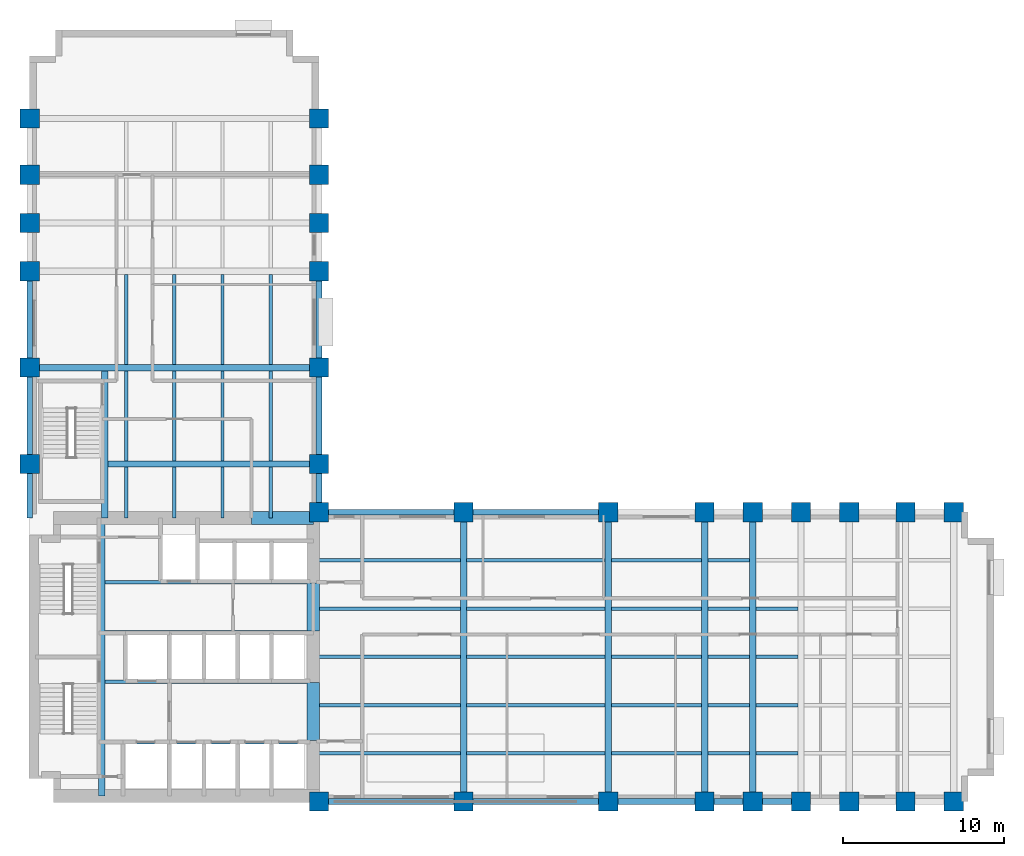
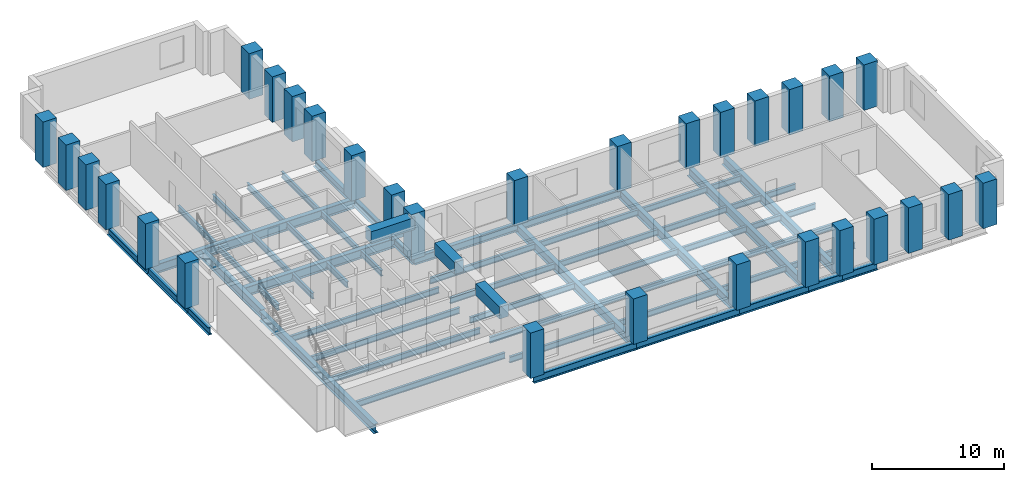
# One storey, part 1 of 8: 64 beams, 30 columns.
"""IFC4 building model written with IfcOpenShell, lengths in metres."""

from ifc_helpers import new_model, si_unit, direction, frame, origin, origin_2d, place, context, subcontext, project, spatial, rectangle, i_section, extrude, material, material_profile, profile_set, type_object, element, save


model = new_model("IFC4")

# Units and contexts
model_context = context("Model", 3, precision=1e-05, world=origin(), true_north=direction((0.0, 1.0)))
body_context = subcontext(model_context, "Body", "Model", "MODEL_VIEW")
ifc_project = project(units=[si_unit("LENGTHUNIT", "METRE"), si_unit("AREAUNIT", "SQUARE_METRE"), si_unit("VOLUMEUNIT", "CUBIC_METRE"), si_unit("PLANEANGLEUNIT", "RADIAN"), si_unit("MASSUNIT", "GRAM", prefix="KILO")], contexts=[model_context])

# Site, building, storey
site_placement = place(None, origin())
site = spatial("IfcSite", under=ifc_project, at=site_placement, CompositionType="ELEMENT")
building_placement = place(site_placement, origin())
building = spatial("IfcBuilding", under=site, at=building_placement, Name="Mawjdan Bourse Tower", CompositionType="ELEMENT")
storey_placement = place(building_placement, frame((0.0, 0.0, 38.39990234375)))
storey = spatial("IfcBuildingStorey", under=building, at=storey_placement, Name="L08", CompositionType="ELEMENT", Elevation=38.39990234375)

# Columns
ifc_material_1 = material(Name="Concrete C80/95", Category="concrete")
ifc_material_profile_1 = material_profile(ifc_material_1, rectangle(XDim=1.199951171875, YDim=1.199951171875, at=origin_2d()), Name="RC1200X1200")
ifc_profile_set_1 = profile_set([ifc_material_profile_1], Name="Concrete C80/95")
column_type = type_object("IfcColumnType", Name="COL-RC1200X1200", PredefinedType="COLUMN", material=ifc_profile_set_1)
for number, where, z_axis, x_axis, name in (
    (1, (24.0, 3.0, 0.0), (0.0, 0.0, 1.0), (1.0, 0.0, 0.0), "L08 Structural Column C-X240-Y30"),
    (2, (24.0, 21.0, 0.0), (0.0, 0.0, 1.0), (1.0, 0.0, 0.0), "L08 Structural Column C-X240-Y210"),
    (3, (33.0, 3.0, 0.0), (0.0, 0.0, 1.0), (1.0, 0.0, 0.0), "L08 Structural Column C-X330-Y30"),
    (4, (33.0, 21.0, 0.0), (0.0, 0.0, 1.0), (1.0, 0.0, 0.0), "L08 Structural Column C-X330-Y210"),
    (5, (42.0, 3.0, 0.0), (0.0, 0.0, 1.0), (1.0, 0.0, 0.0), "L08 Structural Column C-X420-Y30"),
    (6, (42.0, 21.0, 0.0), (0.0, 0.0, 1.0), (1.0, 0.0, 0.0), "L08 Structural Column C-X420-Y210"),
    (7, (48.0, 3.0, 0.0), (0.0, 0.0, 1.0), (1.0, 0.0, 0.0), "L08 Structural Column C-X480-Y30"),
    (8, (48.0, 21.0, 0.0), (0.0, 0.0, 1.0), (1.0, 0.0, 0.0), "L08 Structural Column C-X480-Y210"),
    (9, (51.0, 3.0, 0.0), (0.0, 0.0, 1.0), (1.0, 0.0, 0.0), "L08 Structural Column C-X510-Y30"),
    (10, (51.0, 21.0, 0.0), (0.0, 0.0, 1.0), (1.0, 0.0, 0.0), "L08 Structural Column C-X510-Y210"),
    (11, (54.0, 3.0, 0.0), (0.0, 0.0, 1.0), (1.0, 0.0, 0.0), "L08 Structural Column C-X540-Y30"),
    (12, (54.0, 21.0, 0.0), (0.0, 0.0, 1.0), (1.0, 0.0, 0.0), "L08 Structural Column C-X540-Y210"),
    (13, (57.0, 3.0, 0.0), (0.0, 0.0, 1.0), (1.0, 0.0, 0.0), "L08 Structural Column C-X570-Y30"),
    (14, (57.0, 21.0, 0.0), (0.0, 0.0, 1.0), (1.0, 0.0, 0.0), "L08 Structural Column C-X570-Y210"),
    (15, (60.5, 3.0, 0.0), (0.0, 0.0, 1.0), (1.0, 0.0, 0.0), "L08 Structural Column C-X605-Y30"),
    (16, (60.5, 21.0, 0.0), (0.0, 0.0, 1.0), (1.0, 0.0, 0.0), "L08 Structural Column C-X605-Y210"),
    (17, (63.5, 3.0, 0.0), (0.0, 0.0, 1.0), (1.0, 0.0, 0.0), "L08 Structural Column C-X635-Y30"),
    (18, (63.5, 21.0, 0.0), (0.0, 0.0, 1.0), (1.0, 0.0, 0.0), "L08 Structural Column C-X635-Y210"),
    (19, (6.0, 24.0, 0.0), (0.0, 0.0, 1.0), (1.0, 0.0, 0.0), "L08 Structural Column C-X60-Y240"),
    (20, (24.0, 24.0, 0.0), (0.0, 0.0, 1.0), (1.0, 0.0, 0.0), "L08 Structural Column C-X240-Y240"),
    (21, (6.0, 30.0, 0.0), (0.0, 0.0, 1.0), (1.0, 0.0, 0.0), "L08 Structural Column C-X60-Y300"),
    (22, (24.0, 30.0, 0.0), (0.0, 0.0, 1.0), (1.0, 0.0, 0.0), "L08 Structural Column C-X240-Y300"),
    (23, (6.0, 36.0, 0.0), (0.0, 0.0, 1.0), (1.0, 0.0, 0.0), "L08 Structural Column C-X60-Y360"),
    (24, (24.0, 36.0, 0.0), (0.0, 0.0, 1.0), (1.0, 0.0, 0.0), "L08 Structural Column C-X240-Y360"),
    (25, (6.0, 39.0, 0.0), (0.0, 0.0, 1.0), (1.0, 0.0, 0.0), "L08 Structural Column C-X60-Y390"),
    (26, (24.0, 39.0, 0.0), (0.0, 0.0, 1.0), (1.0, 0.0, 0.0), "L08 Structural Column C-X240-Y390"),
    (27, (6.0, 42.0, 0.0), (0.0, 0.0, 1.0), (1.0, 0.0, 0.0), "L08 Structural Column C-X60-Y420"),
    (28, (24.0, 42.0, 0.0), (0.0, 0.0, 1.0), (1.0, 0.0, 0.0), "L08 Structural Column C-X240-Y420"),
    (29, (6.0, 45.5, 0.0), (0.0, 0.0, 1.0), (1.0, 0.0, 0.0), "L08 Structural Column C-X60-Y455"),
    (30, (24.0, 45.5, 0.0), (0.0, 0.0, 1.0), (1.0, 0.0, 0.0), "L08 Structural Column C-X240-Y455"),
):
    element("IfcColumn", number, at=place(storey_placement, frame(where, z_axis=z_axis, x_axis=x_axis)), inside=storey, type_object=column_type, Name=name, PredefinedType="COLUMN", context=body_context, shape_type="SweptSolid", body=[
        extrude(rectangle(XDim=1.199951171875, YDim=1.199951171875, at=origin_2d()), origin(), (0.0, 0.0, 1.0), 4.2001953125),
    ])

# Beams
ifc_material_2 = material(Name="Structural Steel S355", Category="steel")
ifc_material_profile_2 = material_profile(ifc_material_2, i_section(OverallWidth=0.39892578125, OverallDepth=0.85595703125, WebThickness=0.018310546875, FlangeThickness=0.029296875, FilletRadius=0.0234375, at=origin_2d()), Name="W33X201")
ifc_profile_set_2 = profile_set([ifc_material_profile_2], Name="Structural Steel S355")
beam_type_1 = type_object("IfcBeamType", Name="GRD-W33X201", PredefinedType="BEAM", material=ifc_profile_set_2)
beam_1_placement = place(storey_placement, frame((10.47998046875, 3.35009765625, -0.64794921875), z_axis=(0.0, 1.0, 0.0), x_axis=(-1.0, 0.0, 0.0)))
element("IfcBeam", 31, at=beam_1_placement, inside=storey, type_object=beam_type_1, Name="L08 Core Stair Trimmer Girder 001", PredefinedType="BEAM", context=body_context, shape_type="SweptSolid", body=[
    extrude(i_section(OverallWidth=0.39892578125, OverallDepth=0.85595703125, WebThickness=0.018310546875, FlangeThickness=0.029296875, FilletRadius=0.0234375, at=origin_2d()), origin(), (0.0, 0.0, 1.0), 17.2998046875),
])
for number, where, z_axis, x_axis, name in (
    (32, (33.0, 3.0, -0.64794921875), (0.0, 1.0, 0.0), (-1.0, 0.0, 0.0), "L08 East Wing Clear-Span Girder 002"),
    (33, (42.0, 3.0, -0.64794921875), (0.0, 1.0, 0.0), (-1.0, 0.0, 0.0), "L08 East Wing Clear-Span Girder 003"),
    (34, (48.0, 3.0, -0.64794921875), (0.0, 1.0, 0.0), (-1.0, 0.0, 0.0), "L08 East Wing Clear-Span Girder 004"),
    (35, (51.0, 3.0, -0.64794921875), (0.0, 1.0, 0.0), (-1.0, 0.0, 0.0), "L08 East Wing Clear-Span Girder 005"),
):
    element("IfcBeam", number, at=place(storey_placement, frame(where, z_axis=z_axis, x_axis=x_axis)), inside=storey, type_object=beam_type_1, Name=name, PredefinedType="BEAM", context=body_context, shape_type="SweptSolid", body=[
        extrude(i_section(OverallWidth=0.39892578125, OverallDepth=0.85595703125, WebThickness=0.018310546875, FlangeThickness=0.029296875, FilletRadius=0.0234375, at=origin_2d()), origin(), (0.0, 0.0, 1.0), 18.0),
    ])
beam_2_placement = place(storey_placement, frame((10.679931640625, 20.64990234375, -0.64794921875), z_axis=(0.0, 1.0, 0.0), x_axis=(-1.0, 0.0, 0.0)))
element("IfcBeam", 36, at=beam_2_placement, inside=storey, type_object=beam_type_1, Name="L08 North Wing Stair Trimmer Girder 070", PredefinedType="BEAM", context=body_context, shape_type="SweptSolid", body=[
    extrude(i_section(OverallWidth=0.39892578125, OverallDepth=0.85595703125, WebThickness=0.018310546875, FlangeThickness=0.029296875, FilletRadius=0.0234375, at=origin_2d()), origin(), (0.0, 0.0, 1.0), 9.152587890625),
])
beam_3_placement = place(storey_placement, frame((10.87744140625, 24.0, -0.64794921875), z_axis=(1.0, 0.0, 0.0), x_axis=(0.0, 1.0, 0.0)))
element("IfcBeam", 37, at=beam_3_placement, inside=storey, type_object=beam_type_1, Name="L08 North Wing Clear-Span Girder 071", PredefinedType="BEAM", context=body_context, shape_type="SweptSolid", body=[
    extrude(i_section(OverallWidth=0.39892578125, OverallDepth=0.85595703125, WebThickness=0.018310546875, FlangeThickness=0.029296875, FilletRadius=0.0234375, at=origin_2d()), origin(), (0.0, 0.0, 1.0), 13.12255859375),
])
beam_4_placement = place(storey_placement, frame((6.0, 30.0, -0.64794921875), z_axis=(1.0, 0.0, 0.0), x_axis=(0.0, 1.0, 0.0)))
element("IfcBeam", 38, at=beam_4_placement, inside=storey, type_object=beam_type_1, Name="L08 North Wing Clear-Span Girder 072", PredefinedType="BEAM", context=body_context, shape_type="SweptSolid", body=[
    extrude(i_section(OverallWidth=0.39892578125, OverallDepth=0.85595703125, WebThickness=0.018310546875, FlangeThickness=0.029296875, FilletRadius=0.0234375, at=origin_2d()), origin(), (0.0, 0.0, 1.0), 18.0),
])
ifc_material_profile_3 = material_profile(ifc_material_2, i_section(OverallWidth=0.2119140625, OverallDepth=0.5439453125, WebThickness=0.01318359375, FlangeThickness=0.021240234375, FilletRadius=0.01708984375, at=origin_2d()), Name="W21X83")
ifc_profile_set_3 = profile_set([ifc_material_profile_3], Name="Structural Steel S355")
beam_type_2 = type_object("IfcBeamType", Name="JST-W21X83", PredefinedType="JOIST", material=ifc_profile_set_3)
beam_5_placement = place(storey_placement, frame((23.64990234375, 6.0, -0.491943359375), z_axis=(1.0, 0.0, 0.0), x_axis=(0.0, 1.0, 0.0)))
element("IfcBeam", 39, at=beam_5_placement, inside=storey, type_object=beam_type_2, Name="L08 East Wing Composite Joist 026", PredefinedType="JOIST", context=body_context, shape_type="SweptSolid", body=[
    extrude(i_section(OverallWidth=0.2119140625, OverallDepth=0.5439453125, WebThickness=0.01318359375, FlangeThickness=0.021240234375, FilletRadius=0.01708984375, at=origin_2d()), origin(), (0.0, 0.0, 1.0), 9.152587890625),
])
beam_6_placement = place(storey_placement, frame((33.197509765625, 6.0, -0.491943359375), z_axis=(1.0, 0.0, 0.0), x_axis=(0.0, 1.0, 0.0)))
element("IfcBeam", 40, at=beam_6_placement, inside=storey, type_object=beam_type_2, Name="L08 East Wing Composite Joist 027", PredefinedType="JOIST", context=body_context, shape_type="SweptSolid", body=[
    extrude(i_section(OverallWidth=0.2119140625, OverallDepth=0.5439453125, WebThickness=0.01318359375, FlangeThickness=0.021240234375, FilletRadius=0.01708984375, at=origin_2d()), origin(), (0.0, 0.0, 1.0), 8.60498046875),
])
beam_7_placement = place(storey_placement, frame((42.197509765625, 6.0, -0.491943359375), z_axis=(1.0, 0.0, 0.0), x_axis=(0.0, 1.0, 0.0)))
element("IfcBeam", 41, at=beam_7_placement, inside=storey, type_object=beam_type_2, Name="L08 East Wing Composite Joist 028", PredefinedType="JOIST", context=body_context, shape_type="SweptSolid", body=[
    extrude(i_section(OverallWidth=0.2119140625, OverallDepth=0.5439453125, WebThickness=0.01318359375, FlangeThickness=0.021240234375, FilletRadius=0.01708984375, at=origin_2d()), origin(), (0.0, 0.0, 1.0), 5.60498046875),
])
for number, where, z_axis, x_axis, name in (
    (42, (48.197509765625, 6.0, -0.491943359375), (1.0, 0.0, 0.0), (0.0, 1.0, 0.0), "L08 East Wing Composite Joist 029"),
    (43, (51.197509765625, 6.0, -0.491943359375), (1.0, 0.0, 0.0), (0.0, 1.0, 0.0), "L08 East Wing Composite Joist 030"),
):
    element("IfcBeam", number, at=place(storey_placement, frame(where, z_axis=z_axis, x_axis=x_axis)), inside=storey, type_object=beam_type_2, Name=name, PredefinedType="JOIST", context=body_context, shape_type="SweptSolid", body=[
        extrude(i_section(OverallWidth=0.2119140625, OverallDepth=0.5439453125, WebThickness=0.01318359375, FlangeThickness=0.021240234375, FilletRadius=0.01708984375, at=origin_2d()), origin(), (0.0, 0.0, 1.0), 2.60498046875),
    ])
beam_8_placement = place(storey_placement, frame((23.64990234375, 9.0, -0.491943359375), z_axis=(1.0, 0.0, 0.0), x_axis=(0.0, 1.0, 0.0)))
element("IfcBeam", 44, at=beam_8_placement, inside=storey, type_object=beam_type_2, Name="L08 East Wing Composite Joist 034", PredefinedType="JOIST", context=body_context, shape_type="SweptSolid", body=[
    extrude(i_section(OverallWidth=0.2119140625, OverallDepth=0.5439453125, WebThickness=0.01318359375, FlangeThickness=0.021240234375, FilletRadius=0.01708984375, at=origin_2d()), origin(), (0.0, 0.0, 1.0), 9.152587890625),
])
beam_9_placement = place(storey_placement, frame((33.197509765625, 9.0, -0.491943359375), z_axis=(1.0, 0.0, 0.0), x_axis=(0.0, 1.0, 0.0)))
element("IfcBeam", 45, at=beam_9_placement, inside=storey, type_object=beam_type_2, Name="L08 East Wing Composite Joist 035", PredefinedType="JOIST", context=body_context, shape_type="SweptSolid", body=[
    extrude(i_section(OverallWidth=0.2119140625, OverallDepth=0.5439453125, WebThickness=0.01318359375, FlangeThickness=0.021240234375, FilletRadius=0.01708984375, at=origin_2d()), origin(), (0.0, 0.0, 1.0), 8.60498046875),
])
beam_10_placement = place(storey_placement, frame((42.197509765625, 9.0, -0.491943359375), z_axis=(1.0, 0.0, 0.0), x_axis=(0.0, 1.0, 0.0)))
element("IfcBeam", 46, at=beam_10_placement, inside=storey, type_object=beam_type_2, Name="L08 East Wing Composite Joist 036", PredefinedType="JOIST", context=body_context, shape_type="SweptSolid", body=[
    extrude(i_section(OverallWidth=0.2119140625, OverallDepth=0.5439453125, WebThickness=0.01318359375, FlangeThickness=0.021240234375, FilletRadius=0.01708984375, at=origin_2d()), origin(), (0.0, 0.0, 1.0), 5.60498046875),
])
for number, where, z_axis, x_axis, name in (
    (47, (48.197509765625, 9.0, -0.491943359375), (1.0, 0.0, 0.0), (0.0, 1.0, 0.0), "L08 East Wing Composite Joist 037"),
    (48, (51.197509765625, 9.0, -0.491943359375), (1.0, 0.0, 0.0), (0.0, 1.0, 0.0), "L08 East Wing Composite Joist 038"),
):
    element("IfcBeam", number, at=place(storey_placement, frame(where, z_axis=z_axis, x_axis=x_axis)), inside=storey, type_object=beam_type_2, Name=name, PredefinedType="JOIST", context=body_context, shape_type="SweptSolid", body=[
        extrude(i_section(OverallWidth=0.2119140625, OverallDepth=0.5439453125, WebThickness=0.01318359375, FlangeThickness=0.021240234375, FilletRadius=0.01708984375, at=origin_2d()), origin(), (0.0, 0.0, 1.0), 2.60498046875),
    ])
beam_11_placement = place(storey_placement, frame((23.64990234375, 12.0, -0.491943359375), z_axis=(1.0, 0.0, 0.0), x_axis=(0.0, 1.0, 0.0)))
element("IfcBeam", 49, at=beam_11_placement, inside=storey, type_object=beam_type_2, Name="L08 East Wing Composite Joist 042", PredefinedType="JOIST", context=body_context, shape_type="SweptSolid", body=[
    extrude(i_section(OverallWidth=0.2119140625, OverallDepth=0.5439453125, WebThickness=0.01318359375, FlangeThickness=0.021240234375, FilletRadius=0.01708984375, at=origin_2d()), origin(), (0.0, 0.0, 1.0), 9.152587890625),
])
beam_12_placement = place(storey_placement, frame((33.197509765625, 12.0, -0.491943359375), z_axis=(1.0, 0.0, 0.0), x_axis=(0.0, 1.0, 0.0)))
element("IfcBeam", 50, at=beam_12_placement, inside=storey, type_object=beam_type_2, Name="L08 East Wing Composite Joist 043", PredefinedType="JOIST", context=body_context, shape_type="SweptSolid", body=[
    extrude(i_section(OverallWidth=0.2119140625, OverallDepth=0.5439453125, WebThickness=0.01318359375, FlangeThickness=0.021240234375, FilletRadius=0.01708984375, at=origin_2d()), origin(), (0.0, 0.0, 1.0), 8.60498046875),
])
beam_13_placement = place(storey_placement, frame((42.197509765625, 12.0, -0.491943359375), z_axis=(1.0, 0.0, 0.0), x_axis=(0.0, 1.0, 0.0)))
element("IfcBeam", 51, at=beam_13_placement, inside=storey, type_object=beam_type_2, Name="L08 East Wing Composite Joist 044", PredefinedType="JOIST", context=body_context, shape_type="SweptSolid", body=[
    extrude(i_section(OverallWidth=0.2119140625, OverallDepth=0.5439453125, WebThickness=0.01318359375, FlangeThickness=0.021240234375, FilletRadius=0.01708984375, at=origin_2d()), origin(), (0.0, 0.0, 1.0), 5.60498046875),
])
for number, where, z_axis, x_axis, name in (
    (52, (48.197509765625, 12.0, -0.491943359375), (1.0, 0.0, 0.0), (0.0, 1.0, 0.0), "L08 East Wing Composite Joist 045"),
    (53, (51.197509765625, 12.0, -0.491943359375), (1.0, 0.0, 0.0), (0.0, 1.0, 0.0), "L08 East Wing Composite Joist 046"),
):
    element("IfcBeam", number, at=place(storey_placement, frame(where, z_axis=z_axis, x_axis=x_axis)), inside=storey, type_object=beam_type_2, Name=name, PredefinedType="JOIST", context=body_context, shape_type="SweptSolid", body=[
        extrude(i_section(OverallWidth=0.2119140625, OverallDepth=0.5439453125, WebThickness=0.01318359375, FlangeThickness=0.021240234375, FilletRadius=0.01708984375, at=origin_2d()), origin(), (0.0, 0.0, 1.0), 2.60498046875),
    ])
beam_14_placement = place(storey_placement, frame((23.64990234375, 15.0, -0.491943359375), z_axis=(1.0, 0.0, 0.0), x_axis=(0.0, 1.0, 0.0)))
element("IfcBeam", 54, at=beam_14_placement, inside=storey, type_object=beam_type_2, Name="L08 East Wing Composite Joist 050", PredefinedType="JOIST", context=body_context, shape_type="SweptSolid", body=[
    extrude(i_section(OverallWidth=0.2119140625, OverallDepth=0.5439453125, WebThickness=0.01318359375, FlangeThickness=0.021240234375, FilletRadius=0.01708984375, at=origin_2d()), origin(), (0.0, 0.0, 1.0), 9.152587890625),
])
beam_15_placement = place(storey_placement, frame((33.197509765625, 15.0, -0.491943359375), z_axis=(1.0, 0.0, 0.0), x_axis=(0.0, 1.0, 0.0)))
element("IfcBeam", 55, at=beam_15_placement, inside=storey, type_object=beam_type_2, Name="L08 East Wing Composite Joist 051", PredefinedType="JOIST", context=body_context, shape_type="SweptSolid", body=[
    extrude(i_section(OverallWidth=0.2119140625, OverallDepth=0.5439453125, WebThickness=0.01318359375, FlangeThickness=0.021240234375, FilletRadius=0.01708984375, at=origin_2d()), origin(), (0.0, 0.0, 1.0), 8.60498046875),
])
beam_16_placement = place(storey_placement, frame((42.197509765625, 15.0, -0.491943359375), z_axis=(1.0, 0.0, 0.0), x_axis=(0.0, 1.0, 0.0)))
element("IfcBeam", 56, at=beam_16_placement, inside=storey, type_object=beam_type_2, Name="L08 East Wing Composite Joist 052", PredefinedType="JOIST", context=body_context, shape_type="SweptSolid", body=[
    extrude(i_section(OverallWidth=0.2119140625, OverallDepth=0.5439453125, WebThickness=0.01318359375, FlangeThickness=0.021240234375, FilletRadius=0.01708984375, at=origin_2d()), origin(), (0.0, 0.0, 1.0), 5.60498046875),
])
for number, where, z_axis, x_axis, name in (
    (57, (48.197509765625, 15.0, -0.491943359375), (1.0, 0.0, 0.0), (0.0, 1.0, 0.0), "L08 East Wing Composite Joist 053"),
    (58, (51.197509765625, 15.0, -0.491943359375), (1.0, 0.0, 0.0), (0.0, 1.0, 0.0), "L08 East Wing Composite Joist 054"),
):
    element("IfcBeam", number, at=place(storey_placement, frame(where, z_axis=z_axis, x_axis=x_axis)), inside=storey, type_object=beam_type_2, Name=name, PredefinedType="JOIST", context=body_context, shape_type="SweptSolid", body=[
        extrude(i_section(OverallWidth=0.2119140625, OverallDepth=0.5439453125, WebThickness=0.01318359375, FlangeThickness=0.021240234375, FilletRadius=0.01708984375, at=origin_2d()), origin(), (0.0, 0.0, 1.0), 2.60498046875),
    ])
beam_17_placement = place(storey_placement, frame((23.64990234375, 18.0, -0.491943359375), z_axis=(1.0, 0.0, 0.0), x_axis=(0.0, 1.0, 0.0)))
element("IfcBeam", 59, at=beam_17_placement, inside=storey, type_object=beam_type_2, Name="L08 East Wing Composite Joist 058", PredefinedType="JOIST", context=body_context, shape_type="SweptSolid", body=[
    extrude(i_section(OverallWidth=0.2119140625, OverallDepth=0.5439453125, WebThickness=0.01318359375, FlangeThickness=0.021240234375, FilletRadius=0.01708984375, at=origin_2d()), origin(), (0.0, 0.0, 1.0), 9.152587890625),
])
beam_18_placement = place(storey_placement, frame((33.197509765625, 18.0, -0.491943359375), z_axis=(1.0, 0.0, 0.0), x_axis=(0.0, 1.0, 0.0)))
element("IfcBeam", 60, at=beam_18_placement, inside=storey, type_object=beam_type_2, Name="L08 East Wing Composite Joist 059", PredefinedType="JOIST", context=body_context, shape_type="SweptSolid", body=[
    extrude(i_section(OverallWidth=0.2119140625, OverallDepth=0.5439453125, WebThickness=0.01318359375, FlangeThickness=0.021240234375, FilletRadius=0.01708984375, at=origin_2d()), origin(), (0.0, 0.0, 1.0), 8.60498046875),
])
beam_19_placement = place(storey_placement, frame((42.197509765625, 18.0, -0.491943359375), z_axis=(1.0, 0.0, 0.0), x_axis=(0.0, 1.0, 0.0)))
element("IfcBeam", 61, at=beam_19_placement, inside=storey, type_object=beam_type_2, Name="L08 East Wing Composite Joist 060", PredefinedType="JOIST", context=body_context, shape_type="SweptSolid", body=[
    extrude(i_section(OverallWidth=0.2119140625, OverallDepth=0.5439453125, WebThickness=0.01318359375, FlangeThickness=0.021240234375, FilletRadius=0.01708984375, at=origin_2d()), origin(), (0.0, 0.0, 1.0), 5.60498046875),
])
beam_20_placement = place(storey_placement, frame((48.197509765625, 18.0, -0.491943359375), z_axis=(1.0, 0.0, 0.0), x_axis=(0.0, 1.0, 0.0)))
element("IfcBeam", 62, at=beam_20_placement, inside=storey, type_object=beam_type_2, Name="L08 East Wing Composite Joist 061", PredefinedType="JOIST", context=body_context, shape_type="SweptSolid", body=[
    extrude(i_section(OverallWidth=0.2119140625, OverallDepth=0.5439453125, WebThickness=0.01318359375, FlangeThickness=0.021240234375, FilletRadius=0.01708984375, at=origin_2d()), origin(), (0.0, 0.0, 1.0), 2.60498046875),
])
for number, where, z_axis, x_axis, name in (
    (63, (10.677490234375, 6.699951171875, -0.491943359375), (1.0, 0.0, 0.0), (0.0, 1.0, 0.0), "L08 Core Floor Joist 066"),
    (64, (10.677490234375, 10.449951171875, -0.491943359375), (1.0, 0.0, 0.0), (0.0, 1.0, 0.0), "L08 Core Floor Joist 067"),
    (65, (10.677490234375, 13.550048828125, -0.491943359375), (1.0, 0.0, 0.0), (0.0, 1.0, 0.0), "L08 Core Floor Joist 068"),
    (66, (10.677490234375, 16.64990234375, -0.491943359375), (1.0, 0.0, 0.0), (0.0, 1.0, 0.0), "L08 Core Floor Joist 069"),
):
    element("IfcBeam", number, at=place(storey_placement, frame(where, z_axis=z_axis, x_axis=x_axis)), inside=storey, type_object=beam_type_2, Name=name, PredefinedType="JOIST", context=body_context, shape_type="SweptSolid", body=[
        extrude(i_section(OverallWidth=0.2119140625, OverallDepth=0.5439453125, WebThickness=0.01318359375, FlangeThickness=0.021240234375, FilletRadius=0.01708984375, at=origin_2d()), origin(), (0.0, 0.0, 1.0), 12.972412109375),
    ])
beam_21_placement = place(storey_placement, frame((12.0, 20.64990234375, -0.491943359375), z_axis=(0.0, 1.0, 0.0), x_axis=(-1.0, 0.0, 0.0)))
element("IfcBeam", 67, at=beam_21_placement, inside=storey, type_object=beam_type_2, Name="L08 North Wing Composite Joist 089", PredefinedType="JOIST", context=body_context, shape_type="SweptSolid", body=[
    extrude(i_section(OverallWidth=0.2119140625, OverallDepth=0.5439453125, WebThickness=0.01318359375, FlangeThickness=0.021240234375, FilletRadius=0.01708984375, at=origin_2d()), origin(), (0.0, 0.0, 1.0), 3.152587890625),
])
for number, where, z_axis, x_axis, name in (
    (68, (12.0, 24.197509765625, -0.491943359375), (0.0, 1.0, 0.0), (-1.0, 0.0, 0.0), "L08 North Wing Composite Joist 090"),
    (69, (12.0, 30.197509765625, -0.491943359375), (0.0, 1.0, 0.0), (-1.0, 0.0, 0.0), "L08 North Wing Composite Joist 091"),
):
    element("IfcBeam", number, at=place(storey_placement, frame(where, z_axis=z_axis, x_axis=x_axis)), inside=storey, type_object=beam_type_2, Name=name, PredefinedType="JOIST", context=body_context, shape_type="SweptSolid", body=[
        extrude(i_section(OverallWidth=0.2119140625, OverallDepth=0.5439453125, WebThickness=0.01318359375, FlangeThickness=0.021240234375, FilletRadius=0.01708984375, at=origin_2d()), origin(), (0.0, 0.0, 1.0), 5.60498046875),
    ])
beam_22_placement = place(storey_placement, frame((15.0, 20.64990234375, -0.491943359375), z_axis=(0.0, 1.0, 0.0), x_axis=(-1.0, 0.0, 0.0)))
element("IfcBeam", 70, at=beam_22_placement, inside=storey, type_object=beam_type_2, Name="L08 North Wing Composite Joist 095", PredefinedType="JOIST", context=body_context, shape_type="SweptSolid", body=[
    extrude(i_section(OverallWidth=0.2119140625, OverallDepth=0.5439453125, WebThickness=0.01318359375, FlangeThickness=0.021240234375, FilletRadius=0.01708984375, at=origin_2d()), origin(), (0.0, 0.0, 1.0), 3.152587890625),
])
for number, where, z_axis, x_axis, name in (
    (71, (15.0, 24.197509765625, -0.491943359375), (0.0, 1.0, 0.0), (-1.0, 0.0, 0.0), "L08 North Wing Composite Joist 096"),
    (72, (15.0, 30.197509765625, -0.491943359375), (0.0, 1.0, 0.0), (-1.0, 0.0, 0.0), "L08 North Wing Composite Joist 097"),
):
    element("IfcBeam", number, at=place(storey_placement, frame(where, z_axis=z_axis, x_axis=x_axis)), inside=storey, type_object=beam_type_2, Name=name, PredefinedType="JOIST", context=body_context, shape_type="SweptSolid", body=[
        extrude(i_section(OverallWidth=0.2119140625, OverallDepth=0.5439453125, WebThickness=0.01318359375, FlangeThickness=0.021240234375, FilletRadius=0.01708984375, at=origin_2d()), origin(), (0.0, 0.0, 1.0), 5.60498046875),
    ])
beam_23_placement = place(storey_placement, frame((18.0, 20.64990234375, -0.491943359375), z_axis=(0.0, 1.0, 0.0), x_axis=(-1.0, 0.0, 0.0)))
element("IfcBeam", 73, at=beam_23_placement, inside=storey, type_object=beam_type_2, Name="L08 North Wing Composite Joist 101", PredefinedType="JOIST", context=body_context, shape_type="SweptSolid", body=[
    extrude(i_section(OverallWidth=0.2119140625, OverallDepth=0.5439453125, WebThickness=0.01318359375, FlangeThickness=0.021240234375, FilletRadius=0.01708984375, at=origin_2d()), origin(), (0.0, 0.0, 1.0), 3.152587890625),
])
for number, where, z_axis, x_axis, name in (
    (74, (18.0, 24.197509765625, -0.491943359375), (0.0, 1.0, 0.0), (-1.0, 0.0, 0.0), "L08 North Wing Composite Joist 102"),
    (75, (18.0, 30.197509765625, -0.491943359375), (0.0, 1.0, 0.0), (-1.0, 0.0, 0.0), "L08 North Wing Composite Joist 103"),
):
    element("IfcBeam", number, at=place(storey_placement, frame(where, z_axis=z_axis, x_axis=x_axis)), inside=storey, type_object=beam_type_2, Name=name, PredefinedType="JOIST", context=body_context, shape_type="SweptSolid", body=[
        extrude(i_section(OverallWidth=0.2119140625, OverallDepth=0.5439453125, WebThickness=0.01318359375, FlangeThickness=0.021240234375, FilletRadius=0.01708984375, at=origin_2d()), origin(), (0.0, 0.0, 1.0), 5.60498046875),
    ])
beam_24_placement = place(storey_placement, frame((21.0, 20.64990234375, -0.491943359375), z_axis=(0.0, 1.0, 0.0), x_axis=(-1.0, 0.0, 0.0)))
element("IfcBeam", 76, at=beam_24_placement, inside=storey, type_object=beam_type_2, Name="L08 North Wing Composite Joist 107", PredefinedType="JOIST", context=body_context, shape_type="SweptSolid", body=[
    extrude(i_section(OverallWidth=0.2119140625, OverallDepth=0.5439453125, WebThickness=0.01318359375, FlangeThickness=0.021240234375, FilletRadius=0.01708984375, at=origin_2d()), origin(), (0.0, 0.0, 1.0), 3.152587890625),
])
for number, where, z_axis, x_axis, name in (
    (77, (21.0, 24.197509765625, -0.491943359375), (0.0, 1.0, 0.0), (-1.0, 0.0, 0.0), "L08 North Wing Composite Joist 108"),
    (78, (21.0, 30.197509765625, -0.491943359375), (0.0, 1.0, 0.0), (-1.0, 0.0, 0.0), "L08 North Wing Composite Joist 109"),
):
    element("IfcBeam", number, at=place(storey_placement, frame(where, z_axis=z_axis, x_axis=x_axis)), inside=storey, type_object=beam_type_2, Name=name, PredefinedType="JOIST", context=body_context, shape_type="SweptSolid", body=[
        extrude(i_section(OverallWidth=0.2119140625, OverallDepth=0.5439453125, WebThickness=0.01318359375, FlangeThickness=0.021240234375, FilletRadius=0.01708984375, at=origin_2d()), origin(), (0.0, 0.0, 1.0), 5.60498046875),
    ])
ifc_material_3 = material(Name="Concrete C70/85", Category="concrete")
ifc_material_profile_4 = material_profile(ifc_material_3, rectangle(XDim=0.800048828125, YDim=1.10009765625, at=origin_2d()), Name="RCB800X1100")
ifc_profile_set_4 = profile_set([ifc_material_profile_4], Name="Concrete C70/85")
beam_type_3 = type_object("IfcBeamType", Name="LNT-RCB800X1100", PredefinedType="LINTEL", material=ifc_profile_set_4)
beam_25_placement = place(storey_placement, frame((23.64990234375, 6.800048828125, 3.43017578125), z_axis=(0.0, 1.0, 0.0), x_axis=(-1.0, 0.0, 0.0)))
element("IfcBeam", 79, at=beam_25_placement, inside=storey, type_object=beam_type_3, Name="L08 Coupled Core Lintel CB-E1", PredefinedType="LINTEL", context=body_context, shape_type="SweptSolid", body=[
    extrude(rectangle(XDim=0.800048828125, YDim=1.10009765625, at=origin_2d()), origin(), (0.0, 0.0, 1.0), 3.599853515625),
])
beam_26_placement = place(storey_placement, frame((23.64990234375, 13.60009765625, 3.43017578125), z_axis=(0.0, 1.0, 0.0), x_axis=(-1.0, 0.0, 0.0)))
element("IfcBeam", 80, at=beam_26_placement, inside=storey, type_object=beam_type_3, Name="L08 Coupled Core Lintel CB-E2", PredefinedType="LINTEL", context=body_context, shape_type="SweptSolid", body=[
    extrude(rectangle(XDim=0.800048828125, YDim=1.10009765625, at=origin_2d()), origin(), (0.0, 0.0, 1.0), 3.0),
])
beam_27_placement = place(storey_placement, frame((19.800048828125, 20.64990234375, 3.43017578125), z_axis=(1.0, 0.0, 0.0), x_axis=(0.0, 1.0, 0.0)))
element("IfcBeam", 81, at=beam_27_placement, inside=storey, type_object=beam_type_3, Name="L08 Coupled Core Lintel CB-N1", PredefinedType="LINTEL", context=body_context, shape_type="SweptSolid", body=[
    extrude(rectangle(XDim=0.800048828125, YDim=1.10009765625, at=origin_2d()), origin(), (0.0, 0.0, 1.0), 3.849853515625),
])
ifc_material_profile_5 = material_profile(ifc_material_2, i_section(OverallWidth=0.35498046875, OverallDepth=0.696044921875, WebThickness=0.015380859375, FlangeThickness=0.02490234375, FilletRadius=0.019775390625, at=origin_2d()), Name="W27X146")
ifc_profile_set_5 = profile_set([ifc_material_profile_5], Name="Structural Steel S355")
beam_type_4 = type_object("IfcBeamType", Name="SPN-W27X146", PredefinedType="SPANDREL", material=ifc_profile_set_5)
for number, where, z_axis, x_axis, name in (
    (82, (24.0, 3.0, -0.56787109375), (1.0, 0.0, 0.0), (0.0, 1.0, 0.0), "L08 Perimeter Masonry-Shelf Spandrel 010"),
    (83, (33.0, 3.0, -0.56787109375), (1.0, 0.0, 0.0), (0.0, 1.0, 0.0), "L08 Perimeter Masonry-Shelf Spandrel 011"),
):
    element("IfcBeam", number, at=place(storey_placement, frame(where, z_axis=z_axis, x_axis=x_axis)), inside=storey, type_object=beam_type_4, Name=name, PredefinedType="SPANDREL", context=body_context, shape_type="SweptSolid", body=[
        extrude(i_section(OverallWidth=0.35498046875, OverallDepth=0.696044921875, WebThickness=0.015380859375, FlangeThickness=0.02490234375, FilletRadius=0.019775390625, at=origin_2d()), origin(), (0.0, 0.0, 1.0), 9.0),
    ])
beam_28_placement = place(storey_placement, frame((42.0, 3.0, -0.56787109375), z_axis=(1.0, 0.0, 0.0), x_axis=(0.0, 1.0, 0.0)))
element("IfcBeam", 84, at=beam_28_placement, inside=storey, type_object=beam_type_4, Name="L08 Perimeter Masonry-Shelf Spandrel 012", PredefinedType="SPANDREL", context=body_context, shape_type="SweptSolid", body=[
    extrude(i_section(OverallWidth=0.35498046875, OverallDepth=0.696044921875, WebThickness=0.015380859375, FlangeThickness=0.02490234375, FilletRadius=0.019775390625, at=origin_2d()), origin(), (0.0, 0.0, 1.0), 6.0),
])
for number, where, z_axis, x_axis, name in (
    (85, (48.0, 3.0, -0.56787109375), (1.0, 0.0, 0.0), (0.0, 1.0, 0.0), "L08 Perimeter Masonry-Shelf Spandrel 013"),
    (86, (51.0, 3.0, -0.56787109375), (1.0, 0.0, 0.0), (0.0, 1.0, 0.0), "L08 Perimeter Masonry-Shelf Spandrel 014"),
):
    element("IfcBeam", number, at=place(storey_placement, frame(where, z_axis=z_axis, x_axis=x_axis)), inside=storey, type_object=beam_type_4, Name=name, PredefinedType="SPANDREL", context=body_context, shape_type="SweptSolid", body=[
        extrude(i_section(OverallWidth=0.35498046875, OverallDepth=0.696044921875, WebThickness=0.015380859375, FlangeThickness=0.02490234375, FilletRadius=0.019775390625, at=origin_2d()), origin(), (0.0, 0.0, 1.0), 3.0),
    ])
for number, where, z_axis, x_axis, name in (
    (87, (24.0, 21.0, -0.56787109375), (1.0, 0.0, 0.0), (0.0, 1.0, 0.0), "L08 Perimeter Masonry-Shelf Spandrel 018"),
    (88, (33.0, 21.0, -0.56787109375), (1.0, 0.0, 0.0), (0.0, 1.0, 0.0), "L08 Perimeter Masonry-Shelf Spandrel 019"),
):
    element("IfcBeam", number, at=place(storey_placement, frame(where, z_axis=z_axis, x_axis=x_axis)), inside=storey, type_object=beam_type_4, Name=name, PredefinedType="SPANDREL", context=body_context, shape_type="SweptSolid", body=[
        extrude(i_section(OverallWidth=0.35498046875, OverallDepth=0.696044921875, WebThickness=0.015380859375, FlangeThickness=0.02490234375, FilletRadius=0.019775390625, at=origin_2d()), origin(), (0.0, 0.0, 1.0), 9.0),
    ])
beam_29_placement = place(storey_placement, frame((6.0, 20.64990234375, -0.56787109375), z_axis=(0.0, 1.0, 0.0), x_axis=(-1.0, 0.0, 0.0)))
element("IfcBeam", 89, at=beam_29_placement, inside=storey, type_object=beam_type_4, Name="L08 North Wing Spandrel 077", PredefinedType="SPANDREL", context=body_context, shape_type="SweptSolid", body=[
    extrude(i_section(OverallWidth=0.35498046875, OverallDepth=0.696044921875, WebThickness=0.015380859375, FlangeThickness=0.02490234375, FilletRadius=0.019775390625, at=origin_2d()), origin(), (0.0, 0.0, 1.0), 3.35009765625),
])
for number, where, z_axis, x_axis, name in (
    (90, (6.0, 24.0, -0.56787109375), (0.0, 1.0, 0.0), (-1.0, 0.0, 0.0), "L08 North Wing Spandrel 078"),
    (91, (6.0, 30.0, -0.56787109375), (0.0, 1.0, 0.0), (-1.0, 0.0, 0.0), "L08 North Wing Spandrel 079"),
):
    element("IfcBeam", number, at=place(storey_placement, frame(where, z_axis=z_axis, x_axis=x_axis)), inside=storey, type_object=beam_type_4, Name=name, PredefinedType="SPANDREL", context=body_context, shape_type="SweptSolid", body=[
        extrude(i_section(OverallWidth=0.35498046875, OverallDepth=0.696044921875, WebThickness=0.015380859375, FlangeThickness=0.02490234375, FilletRadius=0.019775390625, at=origin_2d()), origin(), (0.0, 0.0, 1.0), 6.0),
    ])
beam_30_placement = place(storey_placement, frame((24.0, 21.0, -0.56787109375), z_axis=(0.0, 1.0, 0.0), x_axis=(-1.0, 0.0, 0.0)))
element("IfcBeam", 92, at=beam_30_placement, inside=storey, type_object=beam_type_4, Name="L08 North Wing Spandrel 083", PredefinedType="SPANDREL", context=body_context, shape_type="SweptSolid", body=[
    extrude(i_section(OverallWidth=0.35498046875, OverallDepth=0.696044921875, WebThickness=0.015380859375, FlangeThickness=0.02490234375, FilletRadius=0.019775390625, at=origin_2d()), origin(), (0.0, 0.0, 1.0), 3.0),
])
for number, where, z_axis, x_axis, name in (
    (93, (24.0, 24.0, -0.56787109375), (0.0, 1.0, 0.0), (-1.0, 0.0, 0.0), "L08 North Wing Spandrel 084"),
    (94, (24.0, 30.0, -0.56787109375), (0.0, 1.0, 0.0), (-1.0, 0.0, 0.0), "L08 North Wing Spandrel 085"),
):
    element("IfcBeam", number, at=place(storey_placement, frame(where, z_axis=z_axis, x_axis=x_axis)), inside=storey, type_object=beam_type_4, Name=name, PredefinedType="SPANDREL", context=body_context, shape_type="SweptSolid", body=[
        extrude(i_section(OverallWidth=0.35498046875, OverallDepth=0.696044921875, WebThickness=0.015380859375, FlangeThickness=0.02490234375, FilletRadius=0.019775390625, at=origin_2d()), origin(), (0.0, 0.0, 1.0), 6.0),
    ])

save(model, "model.ifc")
